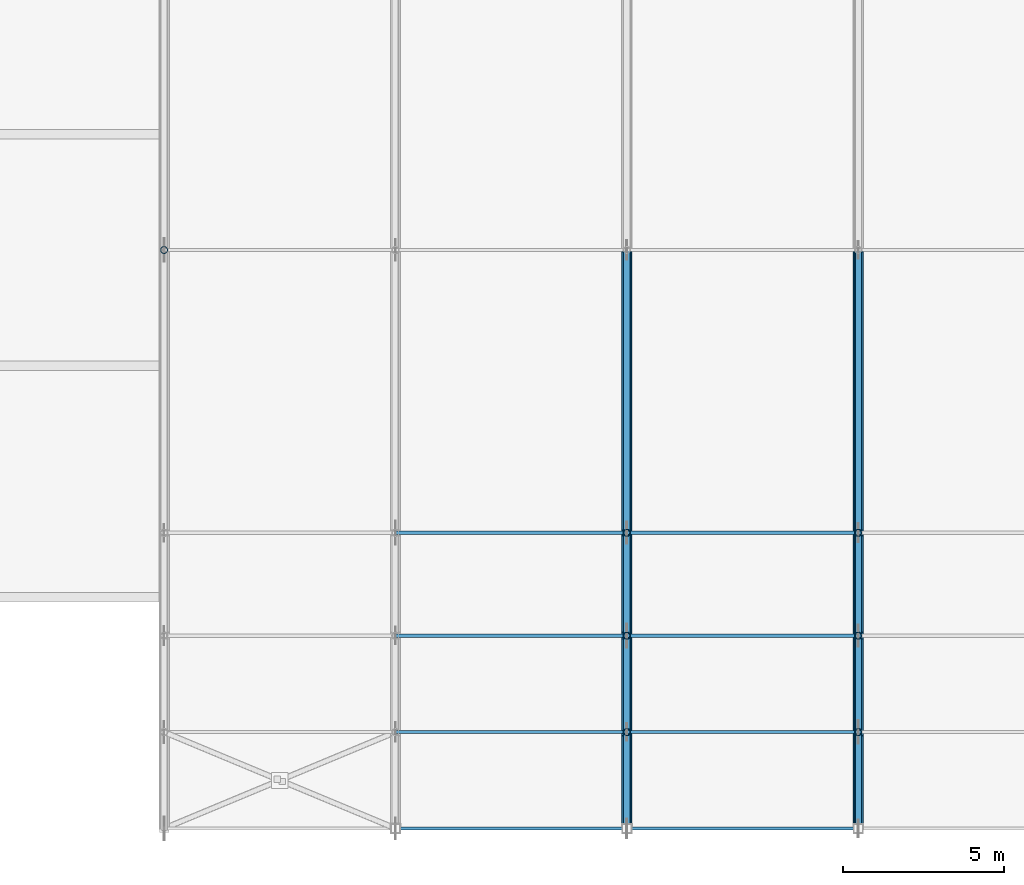
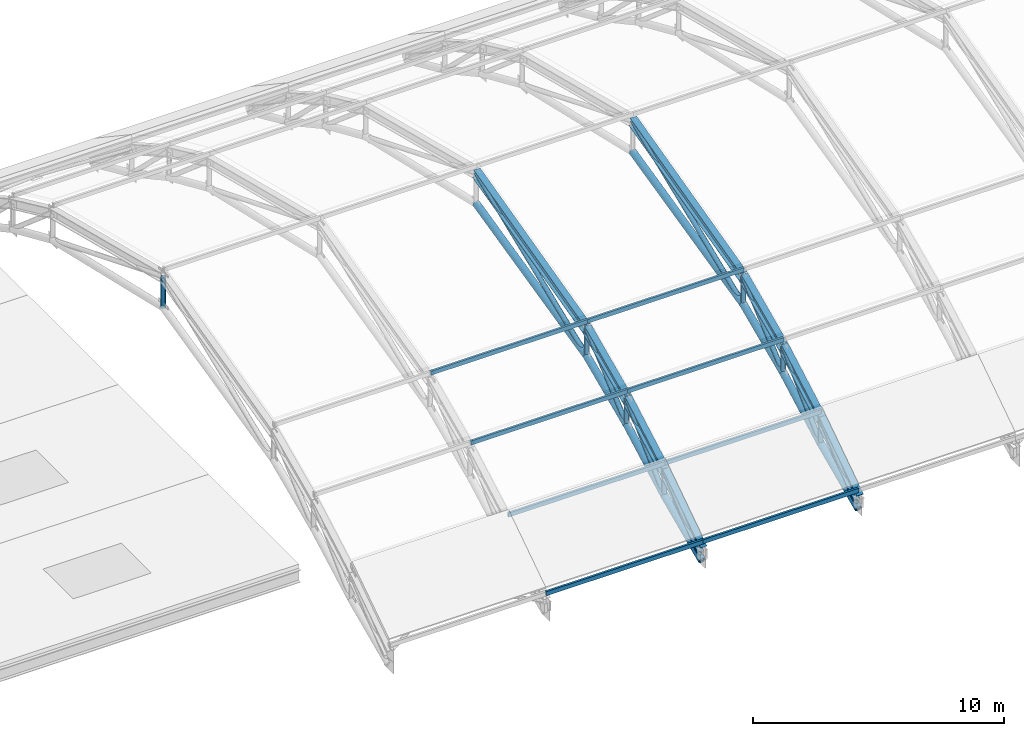
# One storey, part 15 of 63: 31 members, 8 beams.
"""IFC4 building model written with IfcOpenShell, lengths in metres."""

from ifc_helpers import new_model, si_unit, direction, frame, origin, origin_2d, place, context, subcontext, project, spatial, hollow_rectangle, hollow_circle, i_section, extrude, material, material_profile, profile_set, type_object, element, save


model = new_model("IFC4")

# Units and contexts
model_context = context("Model", 3, precision=1e-05, world=origin(), true_north=direction((0.0, 1.0)))
body_context = subcontext(model_context, "Body", "Model", "MODEL_VIEW")
ifc_project = project(units=[si_unit("LENGTHUNIT", "METRE"), si_unit("AREAUNIT", "SQUARE_METRE"), si_unit("VOLUMEUNIT", "CUBIC_METRE"), si_unit("PLANEANGLEUNIT", "RADIAN"), si_unit("MASSUNIT", "GRAM", prefix="KILO")], contexts=[model_context])

# Site, building, storey
site_placement = place(None, origin())
site = spatial("IfcSite", under=ifc_project, at=site_placement, CompositionType="ELEMENT")
building_placement = place(site_placement, origin())
building = spatial("IfcBuilding", under=site, at=building_placement, Name="Solvadek Multi-Sports Hall", CompositionType="ELEMENT")
storey_placement = place(building_placement, frame((0.0, 0.0, 19.199951171875)))
storey = spatial("IfcBuildingStorey", under=building, at=storey_placement, Name="RF", CompositionType="ELEMENT", Elevation=19.199951171875)

# Members
ifc_material_1 = material(Name="Steel E350 (350 MPa)", Category="steel")
ifc_material_profile_1 = material_profile(ifc_material_1, hollow_circle(Radius=0.109619140625, WallThickness=0.010009765625, at=origin_2d()), Name="CHS 219.1x10")
ifc_profile_set_1 = profile_set([ifc_material_profile_1], Name="Steel E350 (350 MPa)")
member_type_1 = type_object("IfcMemberType", Name="STR-BRC-CHS219", PredefinedType="BRACE", material=ifc_profile_set_1)
member_1_placement = place(storey_placement, frame((86.39990234375, 24.0, 2.35009765625), z_axis=(0.0, 0.0, 1.0), x_axis=(1.0, 0.0, 0.0)))
element("IfcMember", 1, at=member_1_placement, inside=storey, type_object=member_type_1, Name="v1 Truss 1 Web Vertical 4", PredefinedType="BRACE", context=body_context, shape_type="SweptSolid", body=[
    extrude(hollow_circle(Radius=0.109619140625, WallThickness=0.010009765625, at=origin_2d()), origin(), (0.0, 0.0, 1.0), 1.5),
])
member_2_placement = place(storey_placement, frame((100.800048828125, 6.0, -4.099853515625), z_axis=(0.0, 0.761413137307, 0.648266946818), x_axis=(-1.0, 0.0, 0.0)))
element("IfcMember", 2, at=member_2_placement, inside=storey, type_object=member_type_1, Name="v1 Truss 3 Web Diagonal 1", PredefinedType="BRACE", context=body_context, shape_type="SweptSolid", body=[
    extrude(hollow_circle(Radius=0.109619140625, WallThickness=0.010009765625, at=origin_2d()), origin(), (0.0, 0.0, 1.0), 3.93994140625),
])
member_3_placement = place(storey_placement, frame((100.800048828125, 9.0, -2.754150390625), z_axis=(0.0, 0.0, 1.0), x_axis=(1.0, 0.0, 0.0)))
element("IfcMember", 3, at=member_3_placement, inside=storey, type_object=member_type_1, Name="v1 Truss 3 Web Vertical 1", PredefinedType="BRACE", context=body_context, shape_type="SweptSolid", body=[
    extrude(hollow_circle(Radius=0.109619140625, WallThickness=0.010009765625, at=origin_2d()), origin(), (0.0, 0.0, 1.0), 1.20849609375),
])
member_4_placement = place(storey_placement, frame((100.800048828125, 9.0, -2.754150390625), z_axis=(0.0, 0.718473942669, 0.695553875487), x_axis=(-1.0, 0.0, 0.0)))
element("IfcMember", 4, at=member_4_placement, inside=storey, type_object=member_type_1, Name="v1 Truss 3 Web Diagonal 2", PredefinedType="BRACE", context=body_context, shape_type="SweptSolid", body=[
    extrude(hollow_circle(Radius=0.109619140625, WallThickness=0.010009765625, at=origin_2d()), origin(), (0.0, 0.0, 1.0), 4.175537109375),
])
member_5_placement = place(storey_placement, frame((100.800048828125, 12.0, -1.11669921875), z_axis=(0.0, 0.0, 1.0), x_axis=(1.0, 0.0, 0.0)))
element("IfcMember", 5, at=member_5_placement, inside=storey, type_object=member_type_1, Name="v1 Truss 3 Web Vertical 2", PredefinedType="BRACE", context=body_context, shape_type="SweptSolid", body=[
    extrude(hollow_circle(Radius=0.109619140625, WallThickness=0.010009765625, at=origin_2d()), origin(), (0.0, 0.0, 1.0), 1.266845703125),
])
member_6_placement = place(storey_placement, frame((100.800048828125, 12.0, -1.11669921875), z_axis=(0.0, 0.760074683686, 0.649835729411), x_axis=(-1.0, 0.0, 0.0)))
element("IfcMember", 6, at=member_6_placement, inside=storey, type_object=member_type_1, Name="v1 Truss 3 Web Diagonal 3", PredefinedType="BRACE", context=body_context, shape_type="SweptSolid", body=[
    extrude(hollow_circle(Radius=0.109619140625, WallThickness=0.010009765625, at=origin_2d()), origin(), (0.0, 0.0, 1.0), 4.2099609375),
])
member_7_placement = place(storey_placement, frame((100.800048828125, 15.199951171875, 0.2900390625), z_axis=(0.0, 0.0, 1.0), x_axis=(1.0, 0.0, 0.0)))
element("IfcMember", 7, at=member_7_placement, inside=storey, type_object=member_type_1, Name="v1 Truss 3 Web Vertical 3", PredefinedType="BRACE", context=body_context, shape_type="SweptSolid", body=[
    extrude(hollow_circle(Radius=0.109619140625, WallThickness=0.010009765625, at=origin_2d()), origin(), (0.0, 0.0, 1.0), 1.3291015625),
])
member_8_placement = place(storey_placement, frame((100.800048828125, 15.199951171875, 0.2900390625), z_axis=(0.0, 0.927015158586, 0.375023860244), x_axis=(-1.0, 0.0, 0.0)))
element("IfcMember", 8, at=member_8_placement, inside=storey, type_object=member_type_1, Name="v1 Truss 3 Web Diagonal 4", PredefinedType="BRACE", context=body_context, shape_type="SweptSolid", body=[
    extrude(hollow_circle(Radius=0.109619140625, WallThickness=0.010009765625, at=origin_2d()), origin(), (0.0, 0.0, 1.0), 9.492919921875),
])
member_9_placement = place(storey_placement, frame((108.0, 6.0, -4.099853515625), z_axis=(0.0, 0.761413137307, 0.648266946818), x_axis=(-1.0, 0.0, 0.0)))
element("IfcMember", 9, at=member_9_placement, inside=storey, type_object=member_type_1, Name="v1 Truss 4 Web Diagonal 1", PredefinedType="BRACE", context=body_context, shape_type="SweptSolid", body=[
    extrude(hollow_circle(Radius=0.109619140625, WallThickness=0.010009765625, at=origin_2d()), origin(), (0.0, 0.0, 1.0), 3.93994140625),
])
member_10_placement = place(storey_placement, frame((108.0, 9.0, -2.754150390625), z_axis=(0.0, 0.0, 1.0), x_axis=(1.0, 0.0, 0.0)))
element("IfcMember", 10, at=member_10_placement, inside=storey, type_object=member_type_1, Name="v1 Truss 4 Web Vertical 1", PredefinedType="BRACE", context=body_context, shape_type="SweptSolid", body=[
    extrude(hollow_circle(Radius=0.109619140625, WallThickness=0.010009765625, at=origin_2d()), origin(), (0.0, 0.0, 1.0), 1.20849609375),
])
member_11_placement = place(storey_placement, frame((108.0, 9.0, -2.754150390625), z_axis=(0.0, 0.718473942669, 0.695553875487), x_axis=(-1.0, 0.0, 0.0)))
element("IfcMember", 11, at=member_11_placement, inside=storey, type_object=member_type_1, Name="v1 Truss 4 Web Diagonal 2", PredefinedType="BRACE", context=body_context, shape_type="SweptSolid", body=[
    extrude(hollow_circle(Radius=0.109619140625, WallThickness=0.010009765625, at=origin_2d()), origin(), (0.0, 0.0, 1.0), 4.175537109375),
])
member_12_placement = place(storey_placement, frame((108.0, 12.0, -1.11669921875), z_axis=(0.0, 0.0, 1.0), x_axis=(1.0, 0.0, 0.0)))
element("IfcMember", 12, at=member_12_placement, inside=storey, type_object=member_type_1, Name="v1 Truss 4 Web Vertical 2", PredefinedType="BRACE", context=body_context, shape_type="SweptSolid", body=[
    extrude(hollow_circle(Radius=0.109619140625, WallThickness=0.010009765625, at=origin_2d()), origin(), (0.0, 0.0, 1.0), 1.266845703125),
])
member_13_placement = place(storey_placement, frame((108.0, 12.0, -1.11669921875), z_axis=(0.0, 0.760074683686, 0.649835729411), x_axis=(-1.0, 0.0, 0.0)))
element("IfcMember", 13, at=member_13_placement, inside=storey, type_object=member_type_1, Name="v1 Truss 4 Web Diagonal 3", PredefinedType="BRACE", context=body_context, shape_type="SweptSolid", body=[
    extrude(hollow_circle(Radius=0.109619140625, WallThickness=0.010009765625, at=origin_2d()), origin(), (0.0, 0.0, 1.0), 4.2099609375),
])
member_14_placement = place(storey_placement, frame((108.0, 15.199951171875, 0.2900390625), z_axis=(0.0, 0.0, 1.0), x_axis=(1.0, 0.0, 0.0)))
element("IfcMember", 14, at=member_14_placement, inside=storey, type_object=member_type_1, Name="v1 Truss 4 Web Vertical 3", PredefinedType="BRACE", context=body_context, shape_type="SweptSolid", body=[
    extrude(hollow_circle(Radius=0.109619140625, WallThickness=0.010009765625, at=origin_2d()), origin(), (0.0, 0.0, 1.0), 1.3291015625),
])
member_15_placement = place(storey_placement, frame((108.0, 15.199951171875, 0.2900390625), z_axis=(0.0, 0.927015158586, 0.375023860244), x_axis=(-1.0, 0.0, 0.0)))
element("IfcMember", 15, at=member_15_placement, inside=storey, type_object=member_type_1, Name="v1 Truss 4 Web Diagonal 4", PredefinedType="BRACE", context=body_context, shape_type="SweptSolid", body=[
    extrude(hollow_circle(Radius=0.109619140625, WallThickness=0.010009765625, at=origin_2d()), origin(), (0.0, 0.0, 1.0), 9.492919921875),
])
ifc_material_profile_2 = material_profile(ifc_material_1, hollow_circle(Radius=0.161865234375, WallThickness=0.012451171875, at=origin_2d()), Name="CHS 323.9x12.5")
ifc_profile_set_2 = profile_set([ifc_material_profile_2], Name="Steel E350 (350 MPa)")
member_type_2 = type_object("IfcMemberType", Name="STR-CHD-CHS323", PredefinedType="CHORD", material=ifc_profile_set_2)
member_16_placement = place(storey_placement, frame((100.800048828125, 6.0, -4.099853515625), z_axis=(0.0, 0.912409902676, 0.409277619104), x_axis=(-1.0, 0.0, 0.0)))
element("IfcMember", 16, at=member_16_placement, inside=storey, type_object=member_type_2, Name="v1 Arched Truss 3 Bottom Chord 1", PredefinedType="CHORD", context=body_context, shape_type="SweptSolid", body=[
    extrude(hollow_circle(Radius=0.161865234375, WallThickness=0.012451171875, at=origin_2d()), origin(), (0.0, 0.0, 1.0), 3.2880859375),
])
member_17_placement = place(storey_placement, frame((100.800048828125, 9.0, -2.754150390625), z_axis=(0.0, 0.877761773463, 0.479097348195), x_axis=(-1.0, 0.0, 0.0)))
element("IfcMember", 17, at=member_17_placement, inside=storey, type_object=member_type_2, Name="v1 Arched Truss 3 Bottom Chord 2", PredefinedType="CHORD", context=body_context, shape_type="SweptSolid", body=[
    extrude(hollow_circle(Radius=0.161865234375, WallThickness=0.012451171875, at=origin_2d()), origin(), (0.0, 0.0, 1.0), 3.417724609375),
])
member_18_placement = place(storey_placement, frame((100.800048828125, 12.0, -1.11669921875), z_axis=(0.0, 0.915445777878, 0.402441334564), x_axis=(-1.0, 0.0, 0.0)))
element("IfcMember", 18, at=member_18_placement, inside=storey, type_object=member_type_2, Name="v1 Arched Truss 3 Bottom Chord 3", PredefinedType="CHORD", context=body_context, shape_type="SweptSolid", body=[
    extrude(hollow_circle(Radius=0.161865234375, WallThickness=0.012451171875, at=origin_2d()), origin(), (0.0, 0.0, 1.0), 3.49560546875),
])
member_19_placement = place(storey_placement, frame((100.800048828125, 15.199951171875, 0.2900390625), z_axis=(0.0, 0.973676572462, 0.227934052391), x_axis=(-1.0, 0.0, 0.0)))
element("IfcMember", 19, at=member_19_placement, inside=storey, type_object=member_type_2, Name="v1 Arched Truss 3 Bottom Chord 4", PredefinedType="CHORD", context=body_context, shape_type="SweptSolid", body=[
    extrude(hollow_circle(Radius=0.161865234375, WallThickness=0.012451171875, at=origin_2d()), origin(), (0.0, 0.0, 1.0), 9.037841796875),
])
member_20_placement = place(storey_placement, frame((108.0, 6.0, -4.099853515625), z_axis=(0.0, 0.912409902676, 0.409277619104), x_axis=(-1.0, 0.0, 0.0)))
element("IfcMember", 20, at=member_20_placement, inside=storey, type_object=member_type_2, Name="v1 Arched Truss 4 Bottom Chord 1", PredefinedType="CHORD", context=body_context, shape_type="SweptSolid", body=[
    extrude(hollow_circle(Radius=0.161865234375, WallThickness=0.012451171875, at=origin_2d()), origin(), (0.0, 0.0, 1.0), 3.2880859375),
])
member_21_placement = place(storey_placement, frame((108.0, 9.0, -2.754150390625), z_axis=(0.0, 0.877761773463, 0.479097348195), x_axis=(-1.0, 0.0, 0.0)))
element("IfcMember", 21, at=member_21_placement, inside=storey, type_object=member_type_2, Name="v1 Arched Truss 4 Bottom Chord 2", PredefinedType="CHORD", context=body_context, shape_type="SweptSolid", body=[
    extrude(hollow_circle(Radius=0.161865234375, WallThickness=0.012451171875, at=origin_2d()), origin(), (0.0, 0.0, 1.0), 3.417724609375),
])
member_22_placement = place(storey_placement, frame((108.0, 12.0, -1.11669921875), z_axis=(0.0, 0.915445777878, 0.402441334564), x_axis=(-1.0, 0.0, 0.0)))
element("IfcMember", 22, at=member_22_placement, inside=storey, type_object=member_type_2, Name="v1 Arched Truss 4 Bottom Chord 3", PredefinedType="CHORD", context=body_context, shape_type="SweptSolid", body=[
    extrude(hollow_circle(Radius=0.161865234375, WallThickness=0.012451171875, at=origin_2d()), origin(), (0.0, 0.0, 1.0), 3.49560546875),
])
member_23_placement = place(storey_placement, frame((108.0, 15.199951171875, 0.2900390625), z_axis=(0.0, 0.973676572462, 0.227934052391), x_axis=(-1.0, 0.0, 0.0)))
element("IfcMember", 23, at=member_23_placement, inside=storey, type_object=member_type_2, Name="v1 Arched Truss 4 Bottom Chord 4", PredefinedType="CHORD", context=body_context, shape_type="SweptSolid", body=[
    extrude(hollow_circle(Radius=0.161865234375, WallThickness=0.012451171875, at=origin_2d()), origin(), (0.0, 0.0, 1.0), 9.037841796875),
])
ifc_material_2 = material(Name="Steel E250 (250 MPa)", Category="steel")
ifc_material_profile_3 = material_profile(ifc_material_2, hollow_rectangle(XDim=0.10009765625, YDim=0.199951171875, WallThickness=0.008056640625, at=origin_2d()), Name="RHS 200x100x8")
ifc_profile_set_3 = profile_set([ifc_material_profile_3], Name="Steel E250 (250 MPa)")
member_type_3 = type_object("IfcMemberType", Name="STR-PUR-RHS200", PredefinedType="PURLIN", material=ifc_profile_set_3)
for number, where, z_axis, x_axis, name in (
    (24, (93.60009765625, 6.0, -3.17529296875), (1.0, 0.0, 0.0), (0.0, 1.0, 0.0), "V1 Roof Purlin #10"),
    (25, (93.60009765625, 9.0, -1.171142578125), (1.0, 0.0, 0.0), (0.0, 1.0, 0.0), "V1 Roof Purlin #11"),
    (26, (93.60009765625, 12.0, 0.512451171875), (1.0, 0.0, 0.0), (0.0, 1.0, 0.0), "V1 Roof Purlin #12"),
    (27, (93.60009765625, 15.199951171875, 1.970703125), (1.0, 0.0, 0.0), (0.0, 1.0, 0.0), "V1 Roof Purlin #13"),
    (28, (100.800048828125, 6.0, -3.17529296875), (1.0, 0.0, 0.0), (0.0, 1.0, 0.0), "V1 Roof Purlin #19"),
    (29, (100.800048828125, 9.0, -1.171142578125), (1.0, 0.0, 0.0), (0.0, 1.0, 0.0), "V1 Roof Purlin #20"),
    (30, (100.800048828125, 12.0, 0.512451171875), (1.0, 0.0, 0.0), (0.0, 1.0, 0.0), "V1 Roof Purlin #21"),
    (31, (100.800048828125, 15.199951171875, 1.970703125), (1.0, 0.0, 0.0), (0.0, 1.0, 0.0), "V1 Roof Purlin #22"),
):
    element("IfcMember", number, at=place(storey_placement, frame(where, z_axis=z_axis, x_axis=x_axis)), inside=storey, type_object=member_type_3, Name=name, PredefinedType="PURLIN", context=body_context, shape_type="SweptSolid", body=[
        extrude(hollow_rectangle(XDim=0.10009765625, YDim=0.199951171875, WallThickness=0.008056640625, at=origin_2d()), origin(), (0.0, 0.0, 1.0), 7.199951171875),
    ])

# Beams
ifc_material_profile_4 = material_profile(ifc_material_1, i_section(OverallWidth=0.300048828125, OverallDepth=0.449951171875, WebThickness=0.013916015625, FlangeThickness=0.02587890625, at=origin_2d()), Name="WPB 450")
ifc_profile_set_4 = profile_set([ifc_material_profile_4], Name="Steel E350 (350 MPa)")
beam_type = type_object("IfcBeamType", Name="STR-TRS-WPB450", PredefinedType="USERDEFINED", material=ifc_profile_set_4)
beam_1_placement = place(storey_placement, frame((100.800048828125, 6.0, -3.550048828125), z_axis=(0.0, 0.831487713405, 0.55554314185), x_axis=(-1.0, 0.0, 0.0)))
element("IfcBeam", 32, at=beam_1_placement, inside=storey, type_object=beam_type, Name="v1 Arched Truss 3 Top Chord 1", ObjectType="ROOF TRUSS", PredefinedType="USERDEFINED", context=body_context, shape_type="SweptSolid", body=[
    extrude(i_section(OverallWidth=0.300048828125, OverallDepth=0.449951171875, WebThickness=0.013916015625, FlangeThickness=0.02587890625, at=origin_2d()), origin(), (0.0, 0.0, 1.0), 3.60791015625),
])
beam_2_placement = place(storey_placement, frame((100.800048828125, 9.0, -1.545654296875), z_axis=(0.0, 0.870544365607, 0.492089938436), x_axis=(-1.0, 0.0, 0.0)))
element("IfcBeam", 33, at=beam_2_placement, inside=storey, type_object=beam_type, Name="v1 Arched Truss 3 Top Chord 2", ObjectType="ROOF TRUSS", PredefinedType="USERDEFINED", context=body_context, shape_type="SweptSolid", body=[
    extrude(i_section(OverallWidth=0.300048828125, OverallDepth=0.449951171875, WebThickness=0.013916015625, FlangeThickness=0.02587890625, at=origin_2d()), origin(), (0.0, 0.0, 1.0), 3.446044921875),
])
beam_3_placement = place(storey_placement, frame((100.800048828125, 12.0, 0.150146484375), z_axis=(0.0, 0.908811875669, 0.417206153651), x_axis=(-1.0, 0.0, 0.0)))
element("IfcBeam", 34, at=beam_3_placement, inside=storey, type_object=beam_type, Name="v1 Arched Truss 3 Top Chord 3", ObjectType="ROOF TRUSS", PredefinedType="USERDEFINED", context=body_context, shape_type="SweptSolid", body=[
    extrude(i_section(OverallWidth=0.300048828125, OverallDepth=0.449951171875, WebThickness=0.013916015625, FlangeThickness=0.02587890625, at=origin_2d()), origin(), (0.0, 0.0, 1.0), 3.52099609375),
])
beam_4_placement = place(storey_placement, frame((100.800048828125, 15.199951171875, 1.619140625), z_axis=(0.0, 0.969335170668, 0.245742399488), x_axis=(-1.0, 0.0, 0.0)))
element("IfcBeam", 35, at=beam_4_placement, inside=storey, type_object=beam_type, Name="v1 Arched Truss 3 Top Chord 4", ObjectType="ROOF TRUSS", PredefinedType="USERDEFINED", context=body_context, shape_type="SweptSolid", body=[
    extrude(i_section(OverallWidth=0.300048828125, OverallDepth=0.449951171875, WebThickness=0.013916015625, FlangeThickness=0.02587890625, at=origin_2d()), origin(), (0.0, 0.0, 1.0), 9.078369140625),
])
beam_5_placement = place(storey_placement, frame((108.0, 6.0, -3.550048828125), z_axis=(0.0, 0.831487713405, 0.55554314185), x_axis=(-1.0, 0.0, 0.0)))
element("IfcBeam", 36, at=beam_5_placement, inside=storey, type_object=beam_type, Name="v1 Arched Truss 4 Top Chord 1", ObjectType="ROOF TRUSS", PredefinedType="USERDEFINED", context=body_context, shape_type="SweptSolid", body=[
    extrude(i_section(OverallWidth=0.300048828125, OverallDepth=0.449951171875, WebThickness=0.013916015625, FlangeThickness=0.02587890625, at=origin_2d()), origin(), (0.0, 0.0, 1.0), 3.60791015625),
])
beam_6_placement = place(storey_placement, frame((108.0, 9.0, -1.545654296875), z_axis=(0.0, 0.870544365607, 0.492089938436), x_axis=(-1.0, 0.0, 0.0)))
element("IfcBeam", 37, at=beam_6_placement, inside=storey, type_object=beam_type, Name="v1 Arched Truss 4 Top Chord 2", ObjectType="ROOF TRUSS", PredefinedType="USERDEFINED", context=body_context, shape_type="SweptSolid", body=[
    extrude(i_section(OverallWidth=0.300048828125, OverallDepth=0.449951171875, WebThickness=0.013916015625, FlangeThickness=0.02587890625, at=origin_2d()), origin(), (0.0, 0.0, 1.0), 3.446044921875),
])
beam_7_placement = place(storey_placement, frame((108.0, 12.0, 0.150146484375), z_axis=(0.0, 0.908811875669, 0.417206153651), x_axis=(-1.0, 0.0, 0.0)))
element("IfcBeam", 38, at=beam_7_placement, inside=storey, type_object=beam_type, Name="v1 Arched Truss 4 Top Chord 3", ObjectType="ROOF TRUSS", PredefinedType="USERDEFINED", context=body_context, shape_type="SweptSolid", body=[
    extrude(i_section(OverallWidth=0.300048828125, OverallDepth=0.449951171875, WebThickness=0.013916015625, FlangeThickness=0.02587890625, at=origin_2d()), origin(), (0.0, 0.0, 1.0), 3.52099609375),
])
beam_8_placement = place(storey_placement, frame((108.0, 15.199951171875, 1.619140625), z_axis=(0.0, 0.969335170668, 0.245742399488), x_axis=(-1.0, 0.0, 0.0)))
element("IfcBeam", 39, at=beam_8_placement, inside=storey, type_object=beam_type, Name="v1 Arched Truss 4 Top Chord 4", ObjectType="ROOF TRUSS", PredefinedType="USERDEFINED", context=body_context, shape_type="SweptSolid", body=[
    extrude(i_section(OverallWidth=0.300048828125, OverallDepth=0.449951171875, WebThickness=0.013916015625, FlangeThickness=0.02587890625, at=origin_2d()), origin(), (0.0, 0.0, 1.0), 9.078369140625),
])

save(model, "model.ifc")
